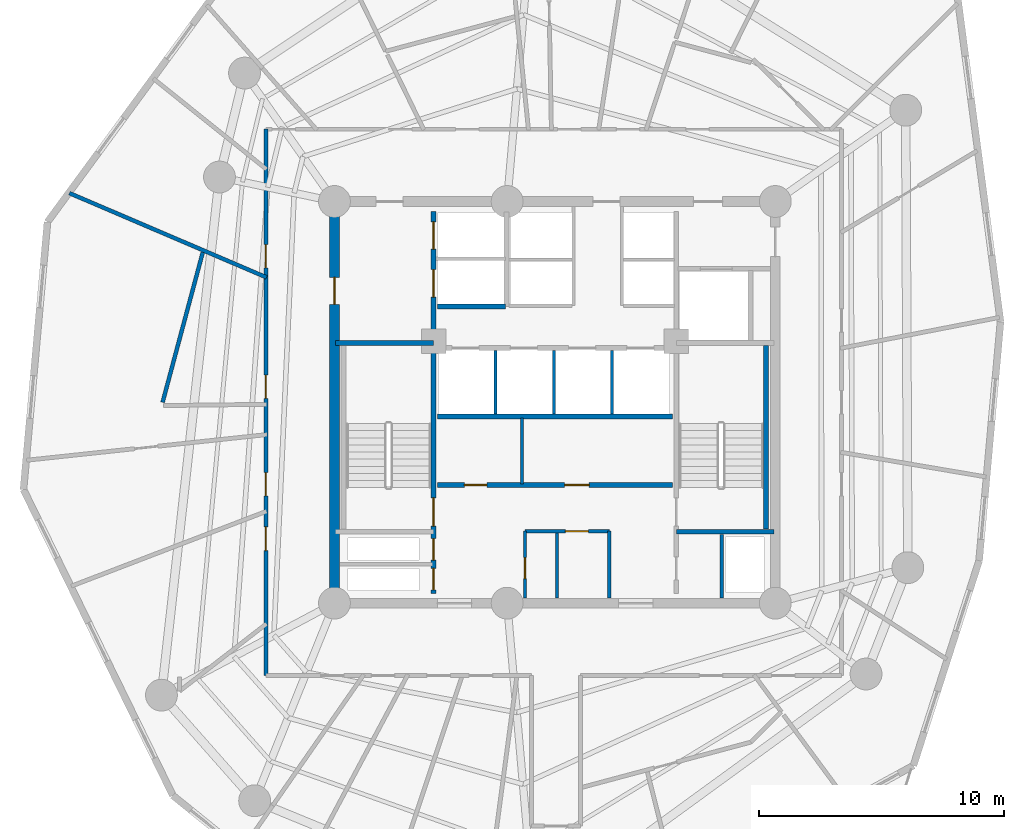
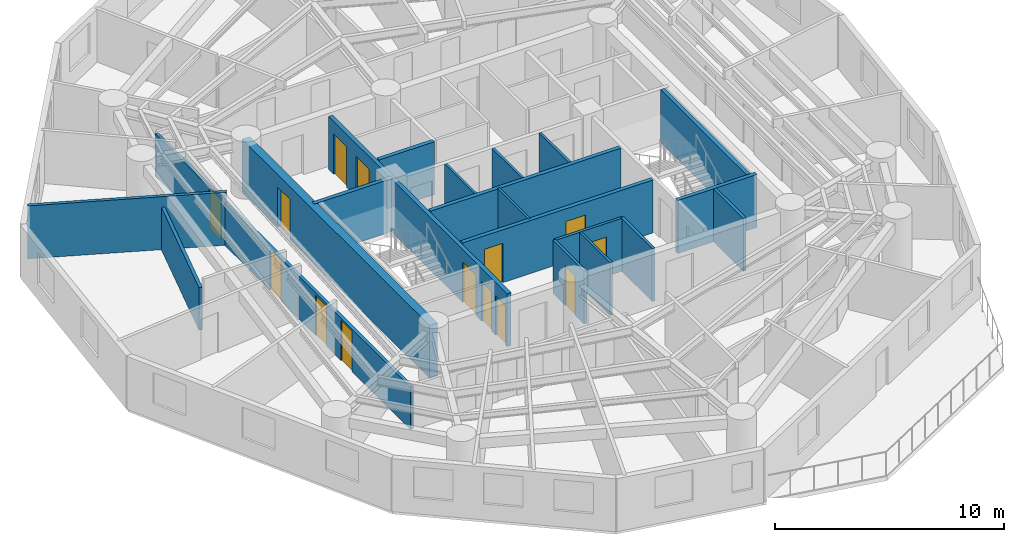
# One storey, part 4 of 8: 20 walls, 14 doors, 14 openings.
"""IFC4 building model written with IfcOpenShell, lengths in metres."""

from ifc_helpers import new_model, si_unit, direction, frame, frame_2d, origin, origin_with_axes, place, context, subcontext, project, spatial, rectangle, extrude, source, transform, mapped, material, layer, layer_set, type_object, element, fill, save


model = new_model("IFC4")

# Units and contexts
model_context = context("Model", 3, precision=1e-05, world=origin(), true_north=direction((0.0, 1.0)))
body_context = subcontext(model_context, "Body", "Model", "MODEL_VIEW")
ifc_project = project(units=[si_unit("LENGTHUNIT", "METRE"), si_unit("AREAUNIT", "SQUARE_METRE"), si_unit("VOLUMEUNIT", "CUBIC_METRE"), si_unit("PLANEANGLEUNIT", "RADIAN"), si_unit("MASSUNIT", "GRAM", prefix="KILO")], contexts=[model_context])

# Site, building, storey
site_placement = place(None, origin())
site = spatial("IfcSite", under=ifc_project, at=site_placement, CompositionType="ELEMENT")
building_placement = place(site_placement, origin())
building = spatial("IfcBuilding", under=site, at=building_placement, Name="Karkom Vertical University and Central Library", CompositionType="ELEMENT")
storey_placement = place(building_placement, frame((0.0, 0.0, 174.85009765625)))
storey = spatial("IfcBuildingStorey", under=building, at=storey_placement, Name="L50", CompositionType="ELEMENT", Elevation=174.85009765625)

# Wall, openings, doors
ifc_material_1 = material(Name="Insulated metal-stud drywall 160mm", Category="gypsum")
ifc_layer_1 = layer(ifc_material_1, 0.159912109375)
ifc_layer_set_1 = layer_set([ifc_layer_1], Name="Insulated metal-stud drywall 160mm")
wall_type_1 = type_object("IfcWallType", Name="INT-WL-COR-160", PredefinedType="PARTITIONING", material=ifc_layer_set_1)
wall_1_placement = place(storey_placement, frame((16.699951171875, 15.35009765625, 0.0), z_axis=(0.0, 0.0, 1.0), x_axis=(0.0, 1.0, 0.0)))
wall_1 = element("IfcWall", 1, at=wall_1_placement, inside=storey, type_object=wall_type_1, Name="Level 50 Interior Partition Wall L50-CORW-CW-002", PredefinedType="PARTITIONING", context=body_context, shape_type="SweptSolid", body=[
    extrude(rectangle(XDim=22.2998046875, YDim=0.159912109375, at=frame_2d((11.14990234375, 0.0))), origin(), (0.0, 0.0, 1.0), 2.27490234375),
])
opening_1_placement = place(wall_1_placement, frame((7.330078125, 0.0, 0.0)))
opening_1 = element("IfcOpeningElement", 2, at=opening_1_placement, cuts=wall_1, Name="Opening D-RM1", PredefinedType="OPENING", context=body_context, shape_type="SweptSolid", body=[
    extrude(rectangle(XDim=0.949951171875, YDim=2.14990234375, at=frame_2d((0.47509765625, 1.074951171875))), frame((0.0, 0.08984375, 0.0), z_axis=(0.0, -1.0, 0.0), x_axis=(1.0, 0.0, 0.0)), (0.0, 0.0, 1.0), 0.179931640625),
])
opening_2_placement = place(wall_1_placement, frame((5.10009765625, 0.0, 0.0)))
opening_2 = element("IfcOpeningElement", 3, at=opening_2_placement, cuts=wall_1, Name="Opening FD-RM2", PredefinedType="OPENING", context=body_context, shape_type="SweptSolid", body=[
    extrude(rectangle(XDim=0.9599609375, YDim=2.14990234375, at=frame_2d((0.47998046875, 1.074951171875))), frame((0.0, 0.08984375, 0.0), z_axis=(0.0, -1.0, 0.0), x_axis=(1.0, 0.0, 0.0)), (0.0, 0.0, 1.0), 0.179931640625),
])
opening_3_placement = place(wall_1_placement, frame((16.639892578125, 0.0, 0.0)))
opening_3 = element("IfcOpeningElement", 4, at=opening_3_placement, cuts=wall_1, Name="Opening D-RM1", PredefinedType="OPENING", context=body_context, shape_type="SweptSolid", body=[
    extrude(rectangle(XDim=0.949951171875, YDim=2.14990234375, at=frame_2d((0.47509765625, 1.074951171875))), frame((0.0, 0.08984375, 0.0), z_axis=(0.0, -1.0, 0.0), x_axis=(1.0, 0.0, 0.0)), (0.0, 0.0, 1.0), 0.179931640625),
])
opening_4_placement = place(wall_1_placement, frame((11.31494140625, 0.0, 0.0)))
opening_4 = element("IfcOpeningElement", 5, at=opening_4_placement, cuts=wall_1, Name="Opening D-RM1", PredefinedType="OPENING", context=body_context, shape_type="SweptSolid", body=[
    extrude(rectangle(XDim=0.949951171875, YDim=2.14990234375, at=frame_2d((0.47509765625, 1.074951171875))), frame((0.0, 0.08984375, 0.0), z_axis=(0.0, -1.0, 0.0), x_axis=(1.0, 0.0, 0.0)), (0.0, 0.0, 1.0), 0.179931640625),
])
ifc_material_2 = material(Name="Fire-rated oak veneer door", Category="wood")
door_type_1 = type_object("IfcDoorType", Name="INT-DR-FRM2", OperationType="NOTDEFINED", PredefinedType="DOOR", material=ifc_material_2)
shared_shape_1 = source(origin_with_axes(), body_context, "Body", "SweptSolid", [
    extrude(rectangle(XDim=0.9599609375, YDim=2.14990234375, at=frame_2d((0.47998046875, 1.074951171875))), frame((0.0, 0.02490234375, 0.0), z_axis=(0.0, -1.0, 0.0), x_axis=(1.0, 0.0, 0.0)), (0.0, 0.0, 1.0), 0.050048828125),
])
door_1_placement = place(opening_2_placement, origin())
door_1 = element("IfcDoor", 6, at=door_1_placement, inside=storey, type_object=door_type_1, Name="Level 50 Room Entry Door 010", OperationType="SINGLE_SWING_LEFT", OverallHeight=2.14990234375, OverallWidth=0.9599609375, PredefinedType="DOOR", context=body_context, shape_type="MappedRepresentation", body=[
    mapped(shared_shape_1, transform((0.0, 0.0, 0.0), scale=1.0)),
])
fill(opening_2, door_1)
ifc_material_3 = material(Name="Solid-core oak veneer door", Category="wood")
door_type_2 = type_object("IfcDoorType", Name="INT-DR-RM1", OperationType="NOTDEFINED", PredefinedType="DOOR", material=ifc_material_3)
shared_shape_2 = source(origin_with_axes(), body_context, "Body", "SweptSolid", [
    extrude(rectangle(XDim=0.949951171875, YDim=2.14990234375, at=frame_2d((0.47509765625, 1.074951171875))), frame((0.0, 0.02490234375, 0.0), z_axis=(0.0, -1.0, 0.0), x_axis=(1.0, 0.0, 0.0)), (0.0, 0.0, 1.0), 0.050048828125),
])
door_2_placement = place(opening_1_placement, origin())
door_2 = element("IfcDoor", 7, at=door_2_placement, inside=storey, type_object=door_type_2, Name="Level 50 Room Entry Door 000", OperationType="SINGLE_SWING_RIGHT", OverallHeight=2.14990234375, OverallWidth=0.949951171875, PredefinedType="DOOR", context=body_context, shape_type="MappedRepresentation", body=[
    mapped(shared_shape_2, transform((0.0, 0.0, 0.0), scale=1.0)),
])
fill(opening_1, door_2)
door_3_placement = place(opening_3_placement, origin())
door_3 = element("IfcDoor", 8, at=door_3_placement, inside=storey, type_object=door_type_2, Name="Level 50 Room Entry Door 240", OperationType="SINGLE_SWING_RIGHT", OverallHeight=2.14990234375, OverallWidth=0.949951171875, PredefinedType="DOOR", context=body_context, shape_type="MappedRepresentation", body=[
    mapped(shared_shape_2, transform((0.0, 0.0, 0.0), scale=1.0)),
])
fill(opening_3, door_3)
door_4_placement = place(opening_4_placement, origin())
door_4 = element("IfcDoor", 9, at=door_4_placement, inside=storey, type_object=door_type_2, Name="Level 50 Room Entry Door 250", OperationType="SINGLE_SWING_LEFT", OverallHeight=2.14990234375, OverallWidth=0.949951171875, PredefinedType="DOOR", context=body_context, shape_type="MappedRepresentation", body=[
    mapped(shared_shape_2, transform((0.0, 0.0, 0.0), scale=1.0)),
])
fill(opening_4, door_4)

# Walls
wall_2_placement = place(storey_placement, frame((16.7275390625, 31.59912109375, 0.0), z_axis=(0.0, 0.0, 1.0), x_axis=(-0.919460607176, 0.393182135723, 0.0)))
element("IfcWall", 10, at=wall_2_placement, inside=storey, type_object=wall_type_1, Name="Level 50 Interior Partition Wall L50-PW-037", PredefinedType="PARTITIONING", context=body_context, shape_type="SweptSolid", body=[
    extrude(rectangle(XDim=8.755126953125, YDim=0.159912109375, at=frame_2d((4.37744140625, 0.0))), origin(), (0.0, 0.0, 1.0), 2.824951171875),
])
wall_3_placement = place(storey_placement, frame((12.48291015625, 26.5, 0.0), z_axis=(0.0, 0.0, 1.0), x_axis=(0.258806723076, 0.965929127882, 0.0)))
element("IfcWall", 11, at=wall_3_placement, inside=storey, type_object=wall_type_1, Name="Level 50 Interior Partition Wall L50-PW-039", PredefinedType="PARTITIONING", context=body_context, shape_type="SweptSolid", body=[
    extrude(rectangle(XDim=6.33447265625, YDim=0.159912109375, at=frame_2d((3.167236328125, 0.0))), origin(), (0.0, 0.0, 1.0), 2.27490234375),
])
ifc_material_4 = material(Name="Moisture-resistant drywall 120mm", Category="gypsum")
ifc_layer_2 = layer(ifc_material_4, 0.1201171875)
ifc_layer_set_2 = layer_set([ifc_layer_2], Name="Moisture-resistant drywall 120mm")
wall_type_2 = type_object("IfcWallType", Name="INT-WL-INT-120", PredefinedType="PARTITIONING", material=ifc_layer_set_2)
wall_4_placement = place(storey_placement, frame((27.14990234375, 23.169921875, 0.0), z_axis=(0.0, 0.0, 1.0), x_axis=(0.0, 1.0, 0.0)))
element("IfcWall", 12, at=wall_4_placement, inside=storey, type_object=wall_type_2, Name="Level 50 Interior Partition Wall L50-CW-B1-K2", PredefinedType="PARTITIONING", context=body_context, shape_type="SweptSolid", body=[
    extrude(rectangle(XDim=2.7001953125, YDim=0.1201171875, at=frame_2d((1.35009765625, 0.0))), origin(), (0.0, 0.0, 1.0), 2.824951171875),
])
wall_5_placement = place(storey_placement, frame((28.580078125, 18.507080078125, 0.0), z_axis=(0.0, 0.0, 1.0), x_axis=(0.0, 1.0, 0.0)))
element("IfcWall", 13, at=wall_5_placement, inside=storey, type_object=wall_type_2, Name="Level 50 Interior Partition Wall L50-CW-K2-DIV", PredefinedType="PARTITIONING", context=body_context, shape_type="SweptSolid", body=[
    extrude(rectangle(XDim=2.66162109375, YDim=0.1201171875, at=frame_2d((1.330810546875, 0.0))), origin(), (0.0, 0.0, 1.0), 2.824951171875),
])
ifc_layer_3 = layer(ifc_material_4, 0.1201171875)
ifc_layer_set_3 = layer_set([ifc_layer_3], Name="Moisture-resistant drywall 120mm")
wall_type_3 = type_object("IfcWallType", Name="INT-WL-INT-120H", PredefinedType="PARTITIONING", material=ifc_layer_set_3)
for number, where, z_axis, x_axis, name in (
    (14, (26.080078125, 26.02001953125, 0.0), (0.0, 0.0, 1.0), (0.0, 1.0, 0.0), "Level 50 Interior Partition Wall L50-CW-PM-DIV1"),
    (15, (28.4599609375, 26.02001953125, 0.0), (0.0, 0.0, 1.0), (0.0, 1.0, 0.0), "Level 50 Interior Partition Wall L50-CW-PM-DIV2"),
    (16, (30.840087890625, 26.02001953125, 0.0), (0.0, 0.0, 1.0), (0.0, 1.0, 0.0), "Level 50 Interior Partition Wall L50-CW-PM-DIV3"),
):
    element("IfcWall", number, at=place(storey_placement, frame(where, z_axis=z_axis, x_axis=x_axis)), inside=storey, type_object=wall_type_3, Name=name, PredefinedType="PARTITIONING", context=body_context, shape_type="SweptSolid", body=[
        extrude(rectangle(XDim=2.60009765625, YDim=0.1201171875, at=frame_2d((1.300048828125, 0.0))), origin(), (0.0, 0.0, 1.0), 2.824951171875),
    ])

# Wall, opening, door
ifc_material_5 = material(Name="Metal-stud gypsum partition 140mm", Category="gypsum")
ifc_layer_4 = layer(ifc_material_5, 0.139892578125)
ifc_layer_set_4 = layer_set([ifc_layer_4], Name="Metal-stud gypsum partition 140mm")
wall_type_4 = type_object("IfcWallType", Name="INT-WL-SUB-140", PredefinedType="PARTITIONING", material=ifc_layer_set_4)
wall_6_placement = place(storey_placement, frame((27.280029296875, 21.239990234375, 0.0), z_axis=(0.0, 0.0, 1.0), x_axis=(1.0, 0.0, 0.0)))
wall_6 = element("IfcWall", 17, at=wall_6_placement, inside=storey, type_object=wall_type_4, Name="Level 50 Interior Partition Wall L50-CW-KBAY-N", PredefinedType="PARTITIONING", context=body_context, shape_type="SweptSolid", body=[
    extrude(rectangle(XDim=3.43994140625, YDim=0.139892578125, at=frame_2d((1.719970703125, 0.0))), origin(), (0.0, 0.0, 1.0), 2.824951171875),
])
opening_5_placement = place(wall_6_placement, frame((1.64990234375, 0.0, 0.0)))
opening_5 = element("IfcOpeningElement", 18, at=opening_5_placement, cuts=wall_6, Name="Opening D-WC1", PredefinedType="OPENING", context=body_context, shape_type="SweptSolid", body=[
    extrude(rectangle(XDim=0.93994140625, YDim=2.10009765625, at=frame_2d((0.469970703125, 1.050048828125))), frame((0.0, 0.080078125, 0.0), z_axis=(0.0, -1.0, 0.0), x_axis=(1.0, 0.0, 0.0)), (0.0, 0.0, 1.0), 0.159912109375),
])
ifc_material_6 = material(Name="Fire-rated laminate moisture-resistant door", Category="wood")
door_type_3 = type_object("IfcDoorType", Name="INT-DR-WC1", OperationType="NOTDEFINED", PredefinedType="DOOR", material=ifc_material_6)
shared_shape_3 = source(origin_with_axes(), body_context, "Body", "SweptSolid", [
    extrude(rectangle(XDim=0.93994140625, YDim=2.10009765625, at=frame_2d((0.469970703125, 1.050048828125))), frame((0.0, 0.02490234375, 0.0), z_axis=(0.0, -1.0, 0.0), x_axis=(1.0, 0.0, 0.0)), (0.0, 0.0, 1.0), 0.050048828125),
])
door_5_placement = place(opening_5_placement, origin())
door_5 = element("IfcDoor", 19, at=door_5_placement, inside=storey, type_object=door_type_3, Name="Level 50 Staff WC Door", OperationType="SINGLE_SWING_RIGHT", OverallHeight=2.10009765625, OverallWidth=0.93994140625, PredefinedType="DOOR", context=body_context, shape_type="MappedRepresentation", body=[
    mapped(shared_shape_3, transform((0.0, 0.0, 0.0), scale=1.0)),
])
fill(opening_5, door_5)

wall_7_placement = place(storey_placement, frame((27.280029296875, 18.507080078125, 0.0), z_axis=(0.0, 0.0, 1.0), x_axis=(0.0, 1.0, 0.0)))
wall_7 = element("IfcWall", 20, at=wall_7_placement, inside=storey, type_object=wall_type_4, Name="Level 50 Interior Partition Wall L50-CW-KBAY-W", PredefinedType="PARTITIONING", context=body_context, shape_type="SweptSolid", body=[
    extrude(rectangle(XDim=2.73291015625, YDim=0.139892578125, at=frame_2d((1.366455078125, 0.0))), origin(), (0.0, 0.0, 1.0), 2.824951171875),
])
opening_6_placement = place(wall_7_placement, frame((0.7900390625, 0.0, 0.0)))
opening_6 = element("IfcOpeningElement", 21, at=opening_6_placement, cuts=wall_7, Name="Opening D-BATH", PredefinedType="OPENING", context=body_context, shape_type="SweptSolid", body=[
    extrude(rectangle(XDim=0.860107421875, YDim=2.10009765625, at=frame_2d((0.43017578125, 1.050048828125))), frame((0.0, 0.080078125, 0.0), z_axis=(0.0, -1.0, 0.0), x_axis=(1.0, 0.0, 0.0)), (0.0, 0.0, 1.0), 0.159912109375),
])
ifc_material_7 = material(Name="Moisture-resistant oak door", Category="wood")
door_type_4 = type_object("IfcDoorType", Name="INT-DR-BATH", OperationType="NOTDEFINED", PredefinedType="DOOR", material=ifc_material_7)
shared_shape_4 = source(origin_with_axes(), body_context, "Body", "SweptSolid", [
    extrude(rectangle(XDim=0.860107421875, YDim=2.10009765625, at=frame_2d((0.43017578125, 1.050048828125))), frame((0.0, 0.02490234375, 0.0), z_axis=(0.0, -1.0, 0.0), x_axis=(1.0, 0.0, 0.0)), (0.0, 0.0, 1.0), 0.050048828125),
])
door_6_placement = place(opening_6_placement, origin())
door_6 = element("IfcDoor", 22, at=door_6_placement, inside=storey, type_object=door_type_4, Name="Level 50 Cleaners Store Door", OperationType="SINGLE_SWING_LEFT", OverallHeight=2.10009765625, OverallWidth=0.860107421875, PredefinedType="DOOR", context=body_context, shape_type="MappedRepresentation", body=[
    mapped(shared_shape_4, transform((0.0, 0.0, 0.0), scale=1.0)),
])
fill(opening_6, door_6)

# Walls
wall_8_placement = place(storey_placement, frame((30.719970703125, 18.507080078125, 0.0), z_axis=(0.0, 0.0, 1.0), x_axis=(0.0, 1.0, 0.0)))
element("IfcWall", 23, at=wall_8_placement, inside=storey, type_object=wall_type_4, Name="Level 50 Interior Partition Wall L50-CW-KBAY-E", PredefinedType="PARTITIONING", context=body_context, shape_type="SweptSolid", body=[
    extrude(rectangle(XDim=2.73291015625, YDim=0.139892578125, at=frame_2d((1.366455078125, 0.0))), origin(), (0.0, 0.0, 1.0), 2.824951171875),
])
ifc_layer_5 = layer(ifc_material_5, 0.139892578125)
ifc_layer_set_5 = layer_set([ifc_layer_5], Name="Metal-stud gypsum partition 140mm")
wall_type_5 = type_object("IfcWallType", Name="INT-WL-SUB-140H", PredefinedType="PARTITIONING", material=ifc_layer_set_5)
wall_9_placement = place(storey_placement, frame((35.320068359375, 18.507080078125, 0.0), z_axis=(0.0, 0.0, 1.0), x_axis=(0.0, 1.0, 0.0)))
element("IfcWall", 24, at=wall_9_placement, inside=storey, type_object=wall_type_5, Name="Level 50 Interior Partition Wall L50-CW-RIS-E", PredefinedType="PARTITIONING", context=body_context, shape_type="SweptSolid", body=[
    extrude(rectangle(XDim=2.603759765625, YDim=0.139892578125, at=frame_2d((1.3017578125, 0.0))), origin(), (0.0, 0.0, 1.0), 2.824951171875),
])

# Wall, opening, door
ifc_material_8 = material(Name="Concrete C50/60", Category="concrete")
ifc_layer_6 = layer(ifc_material_8, 0.39990234375)
ifc_layer_set_6 = layer_set([ifc_layer_6], Name="Concrete C50/60")
wall_type_6 = type_object("IfcWallType", Name="STR-WL-CW-400", PredefinedType="SHEAR", material=ifc_layer_set_6)
wall_10_placement = place(storey_placement, frame((19.5, 34.699951171875, 0.0), z_axis=(0.0, 0.0, 1.0), x_axis=(0.0, -1.0, 0.0)))
wall_10 = element("IfcWall", 25, at=wall_10_placement, inside=storey, type_object=wall_type_6, Name="Level 50 Central Core Shear Wall WW", PredefinedType="SHEAR", context=body_context, shape_type="SweptSolid", body=[
    extrude(rectangle(XDim=16.39990234375, YDim=0.39990234375, at=frame_2d((8.199951171875, 0.0))), origin(), (0.0, 0.0, 1.0), 2.824951171875),
])
opening_7_placement = place(wall_10_placement, frame((3.10009765625, 0.0, 0.0)))
opening_7 = element("IfcOpeningElement", 26, at=opening_7_placement, cuts=wall_10, Name="Opening FD-FFL", PredefinedType="OPENING", context=body_context, shape_type="SweptSolid", body=[
    extrude(rectangle(XDim=1.10009765625, YDim=2.14990234375, at=frame_2d((0.550048828125, 1.074951171875))), frame((0.0, 0.2099609375, 0.0), z_axis=(0.0, -1.0, 0.0), x_axis=(1.0, 0.0, 0.0)), (0.0, 0.0, 1.0), 0.419921875),
])
ifc_material_9 = material(Name="Painted steel smoke-seal fire door", Category="steel")
door_type_5 = type_object("IfcDoorType", Name="INT-DR-FFL", OperationType="NOTDEFINED", PredefinedType="DOOR", material=ifc_material_9)
shared_shape_5 = source(origin_with_axes(), body_context, "Body", "SweptSolid", [
    extrude(rectangle(XDim=1.10009765625, YDim=2.14990234375, at=frame_2d((0.550048828125, 1.074951171875))), frame((0.0, 0.02490234375, 0.0), z_axis=(0.0, -1.0, 0.0), x_axis=(1.0, 0.0, 0.0)), (0.0, 0.0, 1.0), 0.050048828125),
])
door_7_placement = place(opening_7_placement, origin())
door_7 = element("IfcDoor", 27, at=door_7_placement, inside=storey, type_object=door_type_5, Name="Level 50 West Corridor Firefighting Lobby Door", OperationType="SINGLE_SWING_LEFT", OverallHeight=2.14990234375, OverallWidth=1.10009765625, PredefinedType="DOOR", context=body_context, shape_type="MappedRepresentation", body=[
    mapped(shared_shape_5, transform((0.0, 0.0, 0.0), scale=1.0)),
])
fill(opening_7, door_7)

# Wall, openings, doors
ifc_material_10 = material(Name="Concrete C45/55", Category="concrete")
ifc_layer_7 = layer(ifc_material_10, 0.199951171875)
ifc_layer_set_7 = layer_set([ifc_layer_7], Name="Concrete C45/55")
wall_type_7 = type_object("IfcWallType", Name="STR-WL-ST-200", PredefinedType="SHEAR", material=ifc_layer_set_7)
wall_11_placement = place(storey_placement, frame((23.544921875, 18.699951171875, 0.0), z_axis=(0.0, 0.0, 1.0), x_axis=(0.0, 1.0, 0.0)))
wall_11 = element("IfcWall", 28, at=wall_11_placement, inside=storey, type_object=wall_type_7, Name="Level 50 Core Shaft Wall L50-CW-ST1-E", PredefinedType="SHEAR", context=body_context, shape_type="SweptSolid", body=[
    extrude(rectangle(XDim=15.60009765625, YDim=0.199951171875, at=frame_2d((7.800048828125, 0.0))), origin(), (0.0, 0.0, 1.0), 2.824951171875),
])
opening_8_placement = place(wall_11_placement, frame((2.75, 0.0, 0.0)))
opening_8 = element("IfcOpeningElement", 29, at=opening_8_placement, cuts=wall_11, Name="Opening FD-ST1", PredefinedType="OPENING", context=body_context, shape_type="SweptSolid", body=[
    extrude(rectangle(XDim=1.14990234375, YDim=2.14990234375, at=frame_2d((0.574951171875, 1.074951171875))), frame((0.0, 0.10986328125, 0.0), z_axis=(0.0, -1.0, 0.0), x_axis=(1.0, 0.0, 0.0)), (0.0, 0.0, 1.0), 0.219970703125),
])
opening_9_placement = place(wall_11_placement, frame((0.139892578125, 0.0, 0.0)))
opening_9 = element("IfcOpeningElement", 30, at=opening_9_placement, cuts=wall_11, Name="Opening FD-RIS", PredefinedType="OPENING", context=body_context, shape_type="SweptSolid", body=[
    extrude(rectangle(XDim=0.8798828125, YDim=2.10009765625, at=frame_2d((0.43994140625, 1.050048828125))), frame((0.0, 0.10986328125, 0.0), z_axis=(0.0, -1.0, 0.0), x_axis=(1.0, 0.0, 0.0)), (0.0, 0.0, 1.0), 0.219970703125),
])
opening_10_placement = place(wall_11_placement, frame((1.360107421875, 0.0, 0.0)))
opening_10 = element("IfcOpeningElement", 31, at=opening_10_placement, cuts=wall_11, Name="Opening FD-RIS", PredefinedType="OPENING", context=body_context, shape_type="SweptSolid", body=[
    extrude(rectangle(XDim=0.8798828125, YDim=2.10009765625, at=frame_2d((0.43994140625, 1.050048828125))), frame((0.0, 0.10986328125, 0.0), z_axis=(0.0, -1.0, 0.0), x_axis=(1.0, 0.0, 0.0)), (0.0, 0.0, 1.0), 0.219970703125),
])
opening_11_placement = place(wall_11_placement, frame((12.10009765625, 0.0, 0.0)))
opening_11 = element("IfcOpeningElement", 32, at=opening_11_placement, cuts=wall_11, Name="Opening LD-FFL", PredefinedType="OPENING", context=body_context, shape_type="SweptSolid", body=[
    extrude(rectangle(XDim=1.1201171875, YDim=2.14990234375, at=frame_2d((0.56005859375, 1.074951171875))), frame((0.0, 0.10986328125, 0.0), z_axis=(0.0, -1.0, 0.0), x_axis=(1.0, 0.0, 0.0)), (0.0, 0.0, 1.0), 0.219970703125),
])
opening_12_placement = place(wall_11_placement, frame((14.050048828125, 0.0, 0.0)))
opening_12 = element("IfcOpeningElement", 33, at=opening_12_placement, cuts=wall_11, Name="Opening LD-FFL", PredefinedType="OPENING", context=body_context, shape_type="SweptSolid", body=[
    extrude(rectangle(XDim=1.1201171875, YDim=2.14990234375, at=frame_2d((0.56005859375, 1.074951171875))), frame((0.0, 0.10986328125, 0.0), z_axis=(0.0, -1.0, 0.0), x_axis=(1.0, 0.0, 0.0)), (0.0, 0.0, 1.0), 0.219970703125),
])
ifc_material_11 = material(Name="Painted steel acoustic fire door", Category="steel")
door_type_6 = type_object("IfcDoorType", Name="INT-DR-ST1", OperationType="NOTDEFINED", PredefinedType="DOOR", material=ifc_material_11)
shared_shape_6 = source(origin_with_axes(), body_context, "Body", "SweptSolid", [
    extrude(rectangle(XDim=1.14990234375, YDim=2.14990234375, at=frame_2d((0.574951171875, 1.074951171875))), frame((0.0, 0.02490234375, 0.0), z_axis=(0.0, -1.0, 0.0), x_axis=(1.0, 0.0, 0.0)), (0.0, 0.0, 1.0), 0.050048828125),
])
door_8_placement = place(opening_8_placement, origin())
door_8 = element("IfcDoor", 34, at=door_8_placement, inside=storey, type_object=door_type_6, Name="Level 50 Stair ST-1 Fire Door", OperationType="SINGLE_SWING_RIGHT", OverallHeight=2.14990234375, OverallWidth=1.14990234375, PredefinedType="DOOR", context=body_context, shape_type="MappedRepresentation", body=[
    mapped(shared_shape_6, transform((0.0, 0.0, 0.0), scale=1.0)),
])
fill(opening_8, door_8)
ifc_material_12 = material(Name="Painted steel riser access door", Category="steel")
door_type_7 = type_object("IfcDoorType", Name="INT-DR-RIS", OperationType="NOTDEFINED", PredefinedType="DOOR", material=ifc_material_12)
shared_shape_7 = source(origin_with_axes(), body_context, "Body", "SweptSolid", [
    extrude(rectangle(XDim=0.8798828125, YDim=2.10009765625, at=frame_2d((0.43994140625, 1.050048828125))), frame((0.0, 0.02490234375, 0.0), z_axis=(0.0, -1.0, 0.0), x_axis=(1.0, 0.0, 0.0)), (0.0, 0.0, 1.0), 0.050048828125),
])
door_9_placement = place(opening_9_placement, origin())
door_9 = element("IfcDoor", 35, at=door_9_placement, inside=storey, type_object=door_type_7, Name="Level 50 Electrical Riser Access Door", OperationType="SINGLE_SWING_RIGHT", OverallHeight=2.10009765625, OverallWidth=0.8798828125, PredefinedType="DOOR", context=body_context, shape_type="MappedRepresentation", body=[
    mapped(shared_shape_7, transform((0.0, 0.0, 0.0), scale=1.0)),
])
fill(opening_9, door_9)
door_10_placement = place(opening_10_placement, origin())
door_10 = element("IfcDoor", 36, at=door_10_placement, inside=storey, type_object=door_type_7, Name="Level 50 Telecom Riser Access Door", OperationType="SINGLE_SWING_LEFT", OverallHeight=2.10009765625, OverallWidth=0.8798828125, PredefinedType="DOOR", context=body_context, shape_type="MappedRepresentation", body=[
    mapped(shared_shape_7, transform((0.0, 0.0, 0.0), scale=1.0)),
])
fill(opening_10, door_10)
ifc_material_13 = material(Name="Fire-rated stainless-steel landing door", Category="steel")
door_type_8 = type_object("IfcDoorType", Name="INT-DR-LD-FFL", OperationType="SLIDING_TO_LEFT", PredefinedType="DOOR", material=ifc_material_13)
shared_shape_8 = source(origin_with_axes(), body_context, "Body", "SweptSolid", [
    extrude(rectangle(XDim=1.1201171875, YDim=2.14990234375, at=frame_2d((0.56005859375, 1.074951171875))), frame((0.0, 0.02490234375, 0.0), z_axis=(0.0, -1.0, 0.0), x_axis=(1.0, 0.0, 0.0)), (0.0, 0.0, 1.0), 0.050048828125),
])
door_11_placement = place(opening_11_placement, origin())
door_11 = element("IfcDoor", 37, at=door_11_placement, inside=storey, type_object=door_type_8, Name="Level 50 Firefighting Lift FFL-1 Landing Door", OperationType="SLIDING_TO_LEFT", OverallHeight=2.14990234375, OverallWidth=1.1201171875, PredefinedType="DOOR", context=body_context, shape_type="MappedRepresentation", body=[
    mapped(shared_shape_8, transform((0.0, 0.0, 0.0), scale=1.0)),
])
fill(opening_11, door_11)
door_12_placement = place(opening_12_placement, origin())
door_12 = element("IfcDoor", 38, at=door_12_placement, inside=storey, type_object=door_type_8, Name="Level 50 Firefighting Lift FFL-2 Landing Door", OperationType="SLIDING_TO_RIGHT", OverallHeight=2.14990234375, OverallWidth=1.1201171875, PredefinedType="DOOR", context=body_context, shape_type="MappedRepresentation", body=[
    mapped(shared_shape_8, transform((0.0, 0.0, 0.0), scale=1.0)),
])
fill(opening_12, door_12)

wall_12_placement = place(storey_placement, frame((23.699951171875, 23.1201171875, 0.0), z_axis=(0.0, 0.0, 1.0), x_axis=(1.0, 0.0, 0.0)))
wall_12 = element("IfcWall", 39, at=wall_12_placement, inside=storey, type_object=wall_type_7, Name="Level 50 Core Shaft Wall L50-CW-B1-S", PredefinedType="SHEAR", context=body_context, shape_type="SweptSolid", body=[
    extrude(rectangle(XDim=9.60009765625, YDim=0.199951171875, at=frame_2d((4.800048828125, 0.0))), origin(), (0.0, 0.0, 1.0), 2.824951171875),
])
opening_13_placement = place(wall_12_placement, frame((1.10009765625, 0.0, 0.0)))
opening_13 = element("IfcOpeningElement", 40, at=opening_13_placement, cuts=wall_12, Name="Opening D-SVC1", PredefinedType="OPENING", context=body_context, shape_type="SweptSolid", body=[
    extrude(rectangle(XDim=0.919921875, YDim=2.10009765625, at=frame_2d((0.4599609375, 1.050048828125))), frame((0.0, 0.10986328125, 0.0), z_axis=(0.0, -1.0, 0.0), x_axis=(1.0, 0.0, 0.0)), (0.0, 0.0, 1.0), 0.219970703125),
])
opening_14_placement = place(wall_12_placement, frame((5.199951171875, 0.0, 0.0)))
opening_14 = element("IfcOpeningElement", 41, at=opening_14_placement, cuts=wall_12, Name="Opening D-STR1", PredefinedType="OPENING", context=body_context, shape_type="SweptSolid", body=[
    extrude(rectangle(XDim=1.0, YDim=2.14990234375, at=frame_2d((0.5, 1.074951171875))), frame((0.0, 0.10986328125, 0.0), z_axis=(0.0, -1.0, 0.0), x_axis=(1.0, 0.0, 0.0)), (0.0, 0.0, 1.0), 0.219970703125),
])
ifc_material_14 = material(Name="Painted timber service door", Category="wood")
door_type_9 = type_object("IfcDoorType", Name="INT-DR-SVC1", OperationType="NOTDEFINED", PredefinedType="DOOR", material=ifc_material_14)
shared_shape_9 = source(origin_with_axes(), body_context, "Body", "SweptSolid", [
    extrude(rectangle(XDim=0.919921875, YDim=2.10009765625, at=frame_2d((0.4599609375, 1.050048828125))), frame((0.0, 0.02490234375, 0.0), z_axis=(0.0, -1.0, 0.0), x_axis=(1.0, 0.0, 0.0)), (0.0, 0.0, 1.0), 0.050048828125),
])
door_13_placement = place(opening_13_placement, origin())
door_13 = element("IfcDoor", 42, at=door_13_placement, inside=storey, type_object=door_type_9, Name="Level 50 B1 West Store Door", OperationType="SINGLE_SWING_LEFT", OverallHeight=2.10009765625, OverallWidth=0.919921875, PredefinedType="DOOR", context=body_context, shape_type="MappedRepresentation", body=[
    mapped(shared_shape_9, transform((0.0, 0.0, 0.0), scale=1.0)),
])
fill(opening_13, door_13)
ifc_material_15 = material(Name="Solid-core hardwood fire door", Category="wood")
door_type_10 = type_object("IfcDoorType", Name="INT-DR-STR1", OperationType="NOTDEFINED", PredefinedType="DOOR", material=ifc_material_15)
shared_shape_10 = source(origin_with_axes(), body_context, "Body", "SweptSolid", [
    extrude(rectangle(XDim=1.0, YDim=2.14990234375, at=frame_2d((0.5, 1.074951171875))), frame((0.0, 0.02490234375, 0.0), z_axis=(0.0, -1.0, 0.0), x_axis=(1.0, 0.0, 0.0)), (0.0, 0.0, 1.0), 0.050048828125),
])
door_14_placement = place(opening_14_placement, origin())
door_14 = element("IfcDoor", 43, at=door_14_placement, inside=storey, type_object=door_type_10, Name="Level 50 B1 East Plant Door", OperationType="SINGLE_SWING_RIGHT", OverallHeight=2.14990234375, OverallWidth=1.0, PredefinedType="DOOR", context=body_context, shape_type="MappedRepresentation", body=[
    mapped(shared_shape_10, transform((0.0, 0.0, 0.0), scale=1.0)),
])
fill(opening_14, door_14)

# Walls
wall_13_placement = place(storey_placement, frame((23.699951171875, 25.919921875, 0.0), z_axis=(0.0, 0.0, 1.0), x_axis=(1.0, 0.0, 0.0)))
element("IfcWall", 44, at=wall_13_placement, inside=storey, type_object=wall_type_7, Name="Level 50 Core Shaft Wall L50-CW-B1-N", PredefinedType="SHEAR", context=body_context, shape_type="SweptSolid", body=[
    extrude(rectangle(XDim=9.60009765625, YDim=0.199951171875, at=frame_2d((4.800048828125, 0.0))), origin(), (0.0, 0.0, 1.0), 2.824951171875),
])
wall_14_placement = place(storey_placement, frame((37.125, 21.320068359375, 0.0), z_axis=(0.0, 0.0, 1.0), x_axis=(0.0, 1.0, 0.0)))
element("IfcWall", 45, at=wall_14_placement, inside=storey, type_object=wall_type_7, Name="Level 50 Core Shaft Wall L50-CW-ST2-E", PredefinedType="SHEAR", context=body_context, shape_type="SweptSolid", body=[
    extrude(rectangle(XDim=7.5, YDim=0.199951171875, at=frame_2d((3.75, 0.0))), origin(), (0.0, 0.0, 1.0), 2.824951171875),
])
for number, where, z_axis, x_axis, name in (
    (46, (33.455078125, 21.215087890625, 0.0), (0.0, 0.0, 1.0), (1.0, 0.0, 0.0), "Level 50 Core Shaft Wall L50-CW-ST2-S"),
    (47, (19.550048828125, 28.925048828125, 0.0), (0.0, 0.0, 1.0), (1.0, 0.0, 0.0), "Level 50 Core Shaft Wall L50-CW-ST1-N"),
):
    element("IfcWall", number, at=place(storey_placement, frame(where, z_axis=z_axis, x_axis=x_axis)), inside=storey, type_object=wall_type_7, Name=name, PredefinedType="SHEAR", context=body_context, shape_type="SweptSolid", body=[
        extrude(rectangle(XDim=3.994873046875, YDim=0.199951171875, at=frame_2d((1.99755859375, 0.0))), origin(), (0.0, 0.0, 1.0), 2.824951171875),
    ])
wall_15_placement = place(storey_placement, frame((23.699951171875, 30.419921875, 0.0), z_axis=(0.0, 0.0, 1.0), x_axis=(1.0, 0.0, 0.0)))
element("IfcWall", 48, at=wall_15_placement, inside=storey, type_object=wall_type_7, Name="Level 50 Core Shaft Wall L50-CW-FFL-S", PredefinedType="SHEAR", context=body_context, shape_type="SweptSolid", body=[
    extrude(rectangle(XDim=2.780029296875, YDim=0.199951171875, at=frame_2d((1.39013671875, 0.0))), origin(), (0.0, 0.0, 1.0), 2.824951171875),
])

save(model, "model.ifc")
